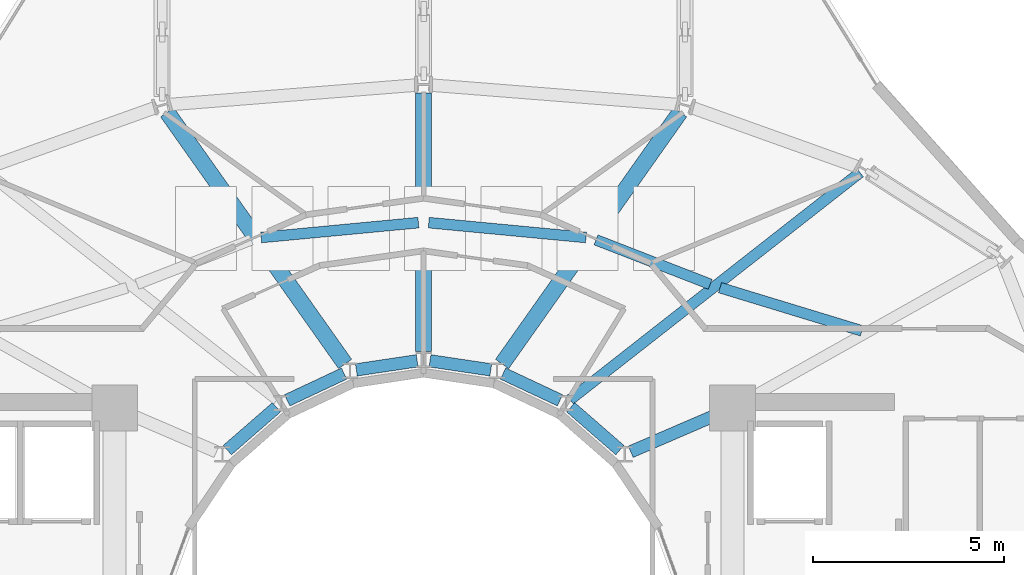
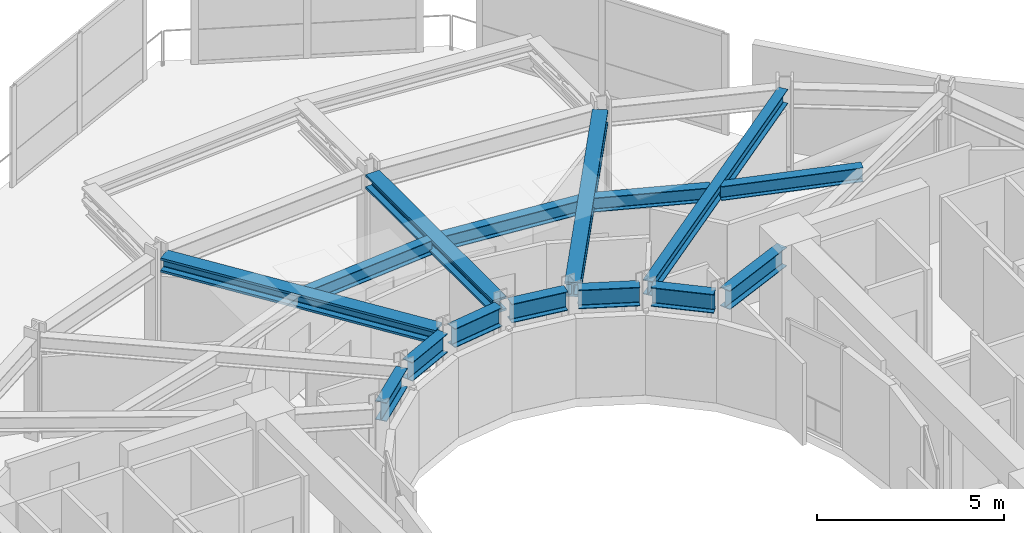
# One storey, part 10 of 24: 15 beams.
"""IFC4 building model written with IfcOpenShell, lengths in metres."""

from ifc_helpers import new_model, si_unit, direction, frame, origin, origin_2d, place, context, subcontext, project, spatial, i_section, extrude, material, material_profile, profile_set, type_object, element, save


model = new_model("IFC4")

# Units and contexts
model_context = context("Model", 3, precision=1e-05, world=origin(), true_north=direction((0.0, 1.0)))
body_context = subcontext(model_context, "Body", "Model", "MODEL_VIEW")
ifc_project = project(units=[si_unit("LENGTHUNIT", "METRE"), si_unit("AREAUNIT", "SQUARE_METRE"), si_unit("VOLUMEUNIT", "CUBIC_METRE"), si_unit("PLANEANGLEUNIT", "RADIAN"), si_unit("MASSUNIT", "GRAM", prefix="KILO")], contexts=[model_context])

# Site, building, storey
site_placement = place(None, origin())
site = spatial("IfcSite", under=ifc_project, at=site_placement, CompositionType="ELEMENT")
building_placement = place(site_placement, origin())
building = spatial("IfcBuilding", under=site, at=building_placement, Name="Solvane Sanctuary Tower", CompositionType="ELEMENT")
storey_placement = place(building_placement, frame((0.0, 0.0, 246.0)))
storey = spatial("IfcBuildingStorey", under=building, at=storey_placement, Name="L75", CompositionType="ELEMENT", Elevation=246.0)

# Beams
ifc_material_1 = material(Name="Steel ASTM A913 Grade 65", Category="steel")
ifc_material_profile_1 = material_profile(ifc_material_1, i_section(OverallWidth=0.422119140625, OverallDepth=0.465087890625, WebThickness=0.044921875, FlangeThickness=0.072509765625, FilletRadius=0.02490234375, at=origin_2d()), Name="W14X398")
ifc_profile_set_1 = profile_set([ifc_material_profile_1], Name="Steel ASTM A913 Grade 65")
beam_type_1 = type_object("IfcBeamType", Name="Beam B-CANT-CH W14X398", PredefinedType="BEAM", material=ifc_profile_set_1)
beam_1_placement = place(storey_placement, frame((29.942138671875, 31.351318359375, 3.08544921875), z_axis=(-0.577262901024, 0.816558352539, 0.0), x_axis=(-0.816558352539, -0.577262901024, 0.0)))
element("IfcBeam", 1, at=beam_1_placement, inside=storey, type_object=beam_type_1, Name="L75 Sky-Dining Truss Backspan Chord C05", PredefinedType="BEAM", context=body_context, shape_type="SweptSolid", body=[
    extrude(i_section(OverallWidth=0.422119140625, OverallDepth=0.465087890625, WebThickness=0.044921875, FlangeThickness=0.072509765625, FilletRadius=0.02490234375, at=origin_2d()), origin(), (0.0, 0.0, 1.0), 8.08349609375),
])
beam_2_placement = place(storey_placement, frame((32.0, 31.679931640625, 3.08544921875), z_axis=(0.0, 1.0, 0.0), x_axis=(-1.0, 0.0, 0.0)))
element("IfcBeam", 2, at=beam_2_placement, inside=storey, type_object=beam_type_1, Name="L75 Sky-Dining Truss Backspan Chord C04", PredefinedType="BEAM", context=body_context, shape_type="SweptSolid", body=[
    extrude(i_section(OverallWidth=0.422119140625, OverallDepth=0.465087890625, WebThickness=0.044921875, FlangeThickness=0.072509765625, FilletRadius=0.02490234375, at=origin_2d()), origin(), (0.0, 0.0, 1.0), 6.779052734375),
])
beam_3_placement = place(storey_placement, frame((34.057861328125, 31.351318359375, 3.08544921875), z_axis=(0.577262901024, 0.816558352539, 0.0), x_axis=(-0.816558352539, 0.577262901024, 0.0)))
element("IfcBeam", 3, at=beam_3_placement, inside=storey, type_object=beam_type_1, Name="L75 Sky-Dining Truss Backspan Chord C03", PredefinedType="BEAM", context=body_context, shape_type="SweptSolid", body=[
    extrude(i_section(OverallWidth=0.422119140625, OverallDepth=0.465087890625, WebThickness=0.044921875, FlangeThickness=0.072509765625, FilletRadius=0.02490234375, at=origin_2d()), origin(), (0.0, 0.0, 1.0), 8.08349609375),
])
ifc_material_2 = material(Name="Steel ASTM A992 Grade 50", Category="steel")
ifc_material_profile_2 = material_profile(ifc_material_2, i_section(OverallWidth=0.282958984375, OverallDepth=0.471923828125, WebThickness=0.013671875, FlangeThickness=0.022216796875, FilletRadius=0.013916015625, at=origin_2d()), Name="W18X97")
ifc_profile_set_2 = profile_set([ifc_material_profile_2], Name="Steel ASTM A992 Grade 50")
beam_type_2 = type_object("IfcBeamType", Name="Beam B-RAD-Z4 W18X97", PredefinedType="JOIST", material=ifc_profile_set_2)
beam_4_placement = place(storey_placement, frame((35.840087890625, 30.412841796875, 3.08203125), z_axis=(0.787179592087, 0.616723835927, 0.0), x_axis=(-0.616723835927, 0.787179592087, 0.0)))
element("IfcBeam", 4, at=beam_4_placement, inside=storey, type_object=beam_type_2, Name="L75 Radial Composite Floor Beam 02", PredefinedType="JOIST", context=body_context, shape_type="SweptSolid", body=[
    extrude(i_section(OverallWidth=0.282958984375, OverallDepth=0.471923828125, WebThickness=0.013671875, FlangeThickness=0.022216796875, FilletRadius=0.013916015625, at=origin_2d()), origin(), (0.0, 0.0, 1.0), 9.66064453125),
])
ifc_material_profile_3 = material_profile(ifc_material_2, i_section(OverallWidth=0.324951171875, OverallDepth=0.615966796875, WebThickness=0.013916015625, FlangeThickness=0.021484375, FilletRadius=0.01611328125, at=origin_2d()), Name="W24X117")
ifc_profile_set_3 = profile_set([ifc_material_profile_3], Name="Steel ASTM A992 Grade 50")
beam_type_3 = type_object("IfcBeamType", Name="Beam B-RING-IN2 W24X117", PredefinedType="BEAM", material=ifc_profile_set_3)
beam_5_placement = place(storey_placement, frame((26.853271484375, 29.09375, 3.010009765625), z_axis=(0.754362388825, 0.656458213694, 0.0), x_axis=(-0.656458213694, 0.754362388825, 0.0)))
element("IfcBeam", 5, at=beam_5_placement, inside=storey, type_object=beam_type_3, Name="L75 Inner Light-Well Ring Beam IC07-IC06", PredefinedType="BEAM", context=body_context, shape_type="SweptSolid", body=[
    extrude(i_section(OverallWidth=0.324951171875, OverallDepth=0.615966796875, WebThickness=0.013916015625, FlangeThickness=0.021484375, FilletRadius=0.01611328125, at=origin_2d()), origin(), (0.0, 0.0, 1.0), 1.708251953125),
])
beam_6_placement = place(storey_placement, frame((28.423828125, 30.39892578125, 3.010009765625), z_axis=(0.905150857291, 0.425090491008, 0.0), x_axis=(-0.425090491008, 0.905150857291, 0.0)))
element("IfcBeam", 6, at=beam_6_placement, inside=storey, type_object=beam_type_3, Name="L75 Inner Light-Well Ring Beam IC06-IC05", PredefinedType="BEAM", context=body_context, shape_type="SweptSolid", body=[
    extrude(i_section(OverallWidth=0.324951171875, OverallDepth=0.615966796875, WebThickness=0.013916015625, FlangeThickness=0.021484375, FilletRadius=0.01611328125, at=origin_2d()), origin(), (0.0, 0.0, 1.0), 1.647705078125),
])
for number, where, z_axis, x_axis, name in (
    (7, (30.2373046875, 31.19677734375, 3.010009765625), (0.989039416515, 0.147651727316, 0.0), (-0.147651727316, 0.989039416515, 0.0), "L75 Inner Light-Well Ring Beam IC05-IC04"),
    (8, (32.168212890625, 31.434814453125, 3.010009765625), (0.989039416515, -0.147651727316, 0.0), (0.147651727316, 0.989039416515, 0.0), "L75 Inner Light-Well Ring Beam IC04-IC03"),
):
    element("IfcBeam", number, at=place(storey_placement, frame(where, z_axis=z_axis, x_axis=x_axis)), inside=storey, type_object=beam_type_3, Name=name, PredefinedType="BEAM", context=body_context, shape_type="SweptSolid", body=[
        extrude(i_section(OverallWidth=0.324951171875, OverallDepth=0.615966796875, WebThickness=0.013916015625, FlangeThickness=0.021484375, FilletRadius=0.01611328125, at=origin_2d()), origin(), (0.0, 0.0, 1.0), 1.612060546875),
    ])
beam_7_placement = place(storey_placement, frame((34.084716796875, 31.099365234375, 3.010009765625), z_axis=(0.905150857291, -0.425090491008, 0.0), x_axis=(0.425090491008, 0.905150857291, 0.0)))
element("IfcBeam", 9, at=beam_7_placement, inside=storey, type_object=beam_type_3, Name="L75 Inner Light-Well Ring Beam IC03-IC02", PredefinedType="BEAM", context=body_context, shape_type="SweptSolid", body=[
    extrude(i_section(OverallWidth=0.324951171875, OverallDepth=0.615966796875, WebThickness=0.013916015625, FlangeThickness=0.021484375, FilletRadius=0.01611328125, at=origin_2d()), origin(), (0.0, 0.0, 1.0), 1.647705078125),
])
beam_8_placement = place(storey_placement, frame((35.858154296875, 30.215087890625, 3.010009765625), z_axis=(0.754362388825, -0.656458213694, 0.0), x_axis=(0.656458213694, 0.754362388825, 0.0)))
element("IfcBeam", 10, at=beam_8_placement, inside=storey, type_object=beam_type_3, Name="L75 Inner Light-Well Ring Beam IC02-IC01", PredefinedType="BEAM", context=body_context, shape_type="SweptSolid", body=[
    extrude(i_section(OverallWidth=0.324951171875, OverallDepth=0.615966796875, WebThickness=0.013916015625, FlangeThickness=0.021484375, FilletRadius=0.01611328125, at=origin_2d()), origin(), (0.0, 0.0, 1.0), 1.708251953125),
])
beam_9_placement = place(storey_placement, frame((37.43115234375, 29.04931640625, 3.010009765625), z_axis=(0.918254967668, 0.395989664453, 0.0), x_axis=(-0.395989664453, 0.918254967668, 0.0)))
element("IfcBeam", 11, at=beam_9_placement, inside=storey, type_object=beam_type_3, Name="L75 Inner Light-Well Ring Beam IC01-CE4", PredefinedType="BEAM", context=body_context, shape_type="SweptSolid", body=[
    extrude(i_section(OverallWidth=0.324951171875, OverallDepth=0.615966796875, WebThickness=0.013916015625, FlangeThickness=0.021484375, FilletRadius=0.01611328125, at=origin_2d()), origin(), (0.0, 0.0, 1.0), 2.54638671875),
])
ifc_material_profile_4 = material_profile(ifc_material_2, i_section(OverallWidth=0.280029296875, OverallDepth=0.462890625, WebThickness=0.0107421875, FlangeThickness=0.017333984375, FilletRadius=0.013916015625, at=origin_2d()), Name="W18X76")
ifc_profile_set_4 = profile_set([ifc_material_profile_4], Name="Steel ASTM A992 Grade 50")
beam_type_4 = type_object("IfcBeamType", Name="Beam B-SEC-JOIST W18X76", PredefinedType="JOIST", material=ifc_profile_set_4)
for number, where, z_axis, x_axis, name in (
    (12, (27.742431640625, 34.667724609375, 3.08642578125), (0.995566487685, 0.094060451834, 0.0), (-0.094060451834, 0.995566487685, 0.0), "L75 Secondary Circumferential Joist 05-04"),
    (13, (32.135986328125, 35.05712890625, 3.08642578125), (0.995566487685, -0.094060451834, 0.0), (0.094060451834, 0.995566487685, 0.0), "L75 Secondary Circumferential Joist 04-03"),
):
    element("IfcBeam", number, at=place(storey_placement, frame(where, z_axis=z_axis, x_axis=x_axis)), inside=storey, type_object=beam_type_4, Name=name, PredefinedType="JOIST", context=body_context, shape_type="SweptSolid", body=[
        extrude(i_section(OverallWidth=0.280029296875, OverallDepth=0.462890625, WebThickness=0.0107421875, FlangeThickness=0.017333984375, FilletRadius=0.013916015625, at=origin_2d()), origin(), (0.0, 0.0, 1.0), 4.139892578125),
    ])
beam_10_placement = place(storey_placement, frame((36.520751953125, 34.60546875, 3.08642578125), z_axis=(0.93205885038, -0.362306913306, 0.0), x_axis=(0.362306913306, 0.93205885038, 0.0)))
element("IfcBeam", 14, at=beam_10_placement, inside=storey, type_object=beam_type_4, Name="L75 Secondary Circumferential Joist 03-02", PredefinedType="JOIST", context=body_context, shape_type="SweptSolid", body=[
    extrude(i_section(OverallWidth=0.280029296875, OverallDepth=0.462890625, WebThickness=0.0107421875, FlangeThickness=0.017333984375, FilletRadius=0.013916015625, at=origin_2d()), origin(), (0.0, 0.0, 1.0), 3.212890625),
])
beam_11_placement = place(storey_placement, frame((39.773193359375, 33.35205078125, 3.08642578125), z_axis=(0.95661833979, -0.291344044005, 0.0), x_axis=(0.291344044005, 0.95661833979, 0.0)))
element("IfcBeam", 15, at=beam_11_placement, inside=storey, type_object=beam_type_4, Name="L75 Secondary Circumferential Joist 02-01", PredefinedType="JOIST", context=body_context, shape_type="SweptSolid", body=[
    extrude(i_section(OverallWidth=0.280029296875, OverallDepth=0.462890625, WebThickness=0.0107421875, FlangeThickness=0.017333984375, FilletRadius=0.013916015625, at=origin_2d()), origin(), (0.0, 0.0, 1.0), 3.887451171875),
])

save(model, "model.ifc")
